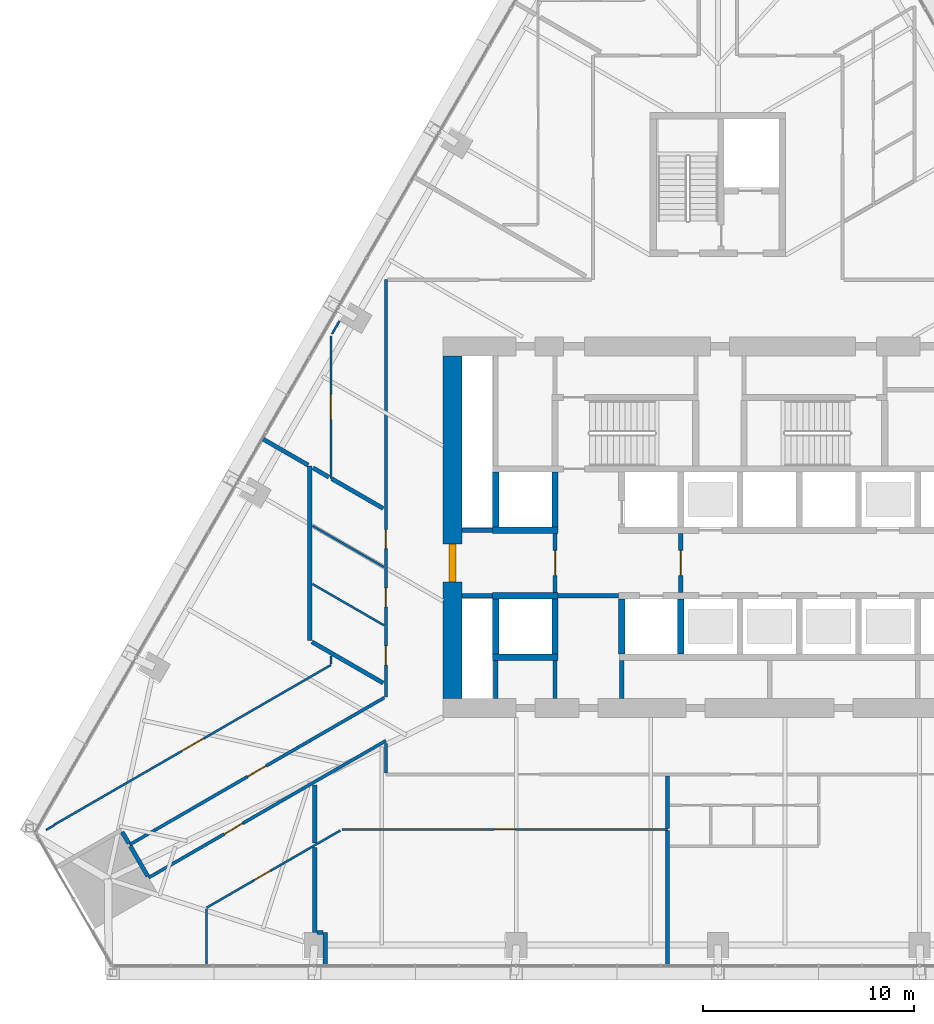
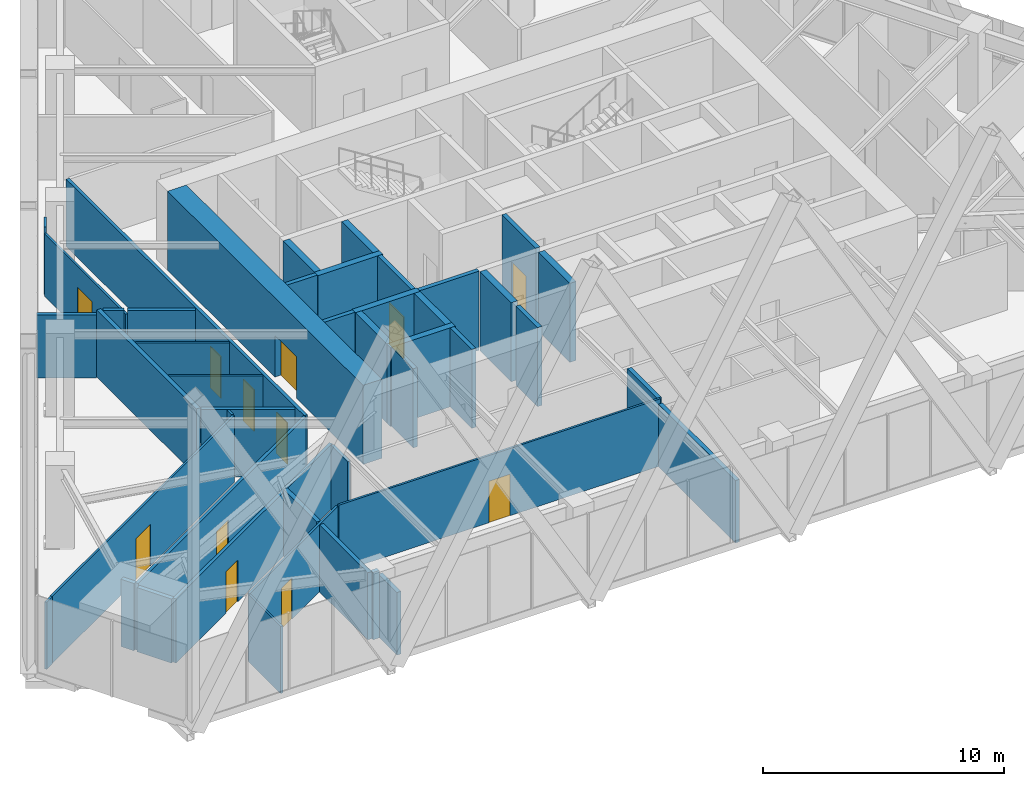
# One storey, part 17 of 23: 45 walls, 12 doors, 12 openings.
"""IFC4 building model written with IfcOpenShell, lengths in metres."""

from ifc_helpers import new_model, si_unit, direction, frame, frame_2d, origin, place, context, subcontext, project, spatial, rectangle, extrude, material, layer, layer_set, type_object, element, fill, save


model = new_model("IFC4")

# Units and contexts
model_context = context("Model", 3, precision=1e-05, world=origin(), true_north=direction((0.0, 1.0)))
body_context = subcontext(model_context, "Body", "Model", "MODEL_VIEW")
ifc_project = project(units=[si_unit("LENGTHUNIT", "METRE"), si_unit("AREAUNIT", "SQUARE_METRE"), si_unit("VOLUMEUNIT", "CUBIC_METRE"), si_unit("PLANEANGLEUNIT", "RADIAN"), si_unit("MASSUNIT", "GRAM", prefix="KILO")], contexts=[model_context])

# Site, building, storey
site_placement = place(None, origin())
site = spatial("IfcSite", under=ifc_project, at=site_placement, CompositionType="ELEMENT")
building_placement = place(site_placement, origin())
building = spatial("IfcBuilding", under=site, at=building_placement, Name="Firuza Gate Tower and Library", CompositionType="ELEMENT")
storey_placement = place(building_placement, frame((0.0, 0.0, 56.800048828125)))
storey = spatial("IfcBuildingStorey", under=building, at=storey_placement, Name="L12", CompositionType="ELEMENT", Elevation=56.800048828125)

# Walls
ifc_material_1 = material(Name="Plasterboard on steel studs", Category="steel")
ifc_layer_1 = layer(ifc_material_1, 0.199951171875)
ifc_layer_set_1 = layer_set([ifc_layer_1], Name="Core partition 200 EI 120")
wall_type_1 = type_object("IfcWallType", Name="Core partition 200 EI 120", PredefinedType="PARTITIONING", material=ifc_layer_set_1)
for number, where, z_axis, x_axis, name in (
    (1, (62.89990234375, 71.75, 0.0), (0.0, 0.0, 1.0), (1.0, 0.0, 0.0), "Core partition L12 1"),
    (2, (62.89990234375, 74.85009765625, 0.0), (0.0, 0.0, 1.0), (1.0, 0.0, 0.0), "Core partition L12 3"),
):
    element("IfcWall", number, at=place(storey_placement, frame(where, z_axis=z_axis, x_axis=x_axis)), inside=storey, type_object=wall_type_1, Name=name, PredefinedType="PARTITIONING", context=body_context, shape_type="SweptSolid", body=[
        extrude(rectangle(XDim=1.4501953125, YDim=0.199951171875, at=frame_2d((0.72509765625, 0.0))), origin(), (0.0, 0.0, 1.0), 4.0),
    ])
for number, where, z_axis, x_axis, name in (
    (3, (64.5, 66.89990234375, 0.0), (0.0, 0.0, 1.0), (0.0, 1.0, 0.0), "Core partition L12 5"),
    (4, (67.300048828125, 66.89990234375, 0.0), (0.0, 0.0, 1.0), (0.0, 1.0, 0.0), "Core partition L12 7"),
    (5, (70.449951171875, 66.89990234375, 0.0), (0.0, 0.0, 1.0), (0.0, 1.0, 0.0), "Core partition L12 10"),
):
    element("IfcWall", number, at=place(storey_placement, frame(where, z_axis=z_axis, x_axis=x_axis)), inside=storey, type_object=wall_type_1, Name=name, PredefinedType="PARTITIONING", context=body_context, shape_type="SweptSolid", body=[
        extrude(rectangle(XDim=1.800048828125, YDim=0.199951171875, at=frame_2d((0.89990234375, 0.0))), origin(), (0.0, 0.0, 1.0), 4.0),
    ])
ifc_material_2 = material(Name="Plasterboard on steel studs", Category="steel")
ifc_layer_2 = layer(ifc_material_2, 0.199951171875)
ifc_layer_set_2 = layer_set([ifc_layer_2], Name="Core partition 200 EI 60")
wall_type_2 = type_object("IfcWallType", Name="Core partition 200 EI 60", PredefinedType="PARTITIONING", material=ifc_layer_set_2)
wall_1_placement = place(storey_placement, frame((67.449951171875, 71.75, 0.0), z_axis=(0.0, 0.0, 1.0), x_axis=(1.0, 0.0, 0.0)))
element("IfcWall", 6, at=wall_1_placement, inside=storey, type_object=wall_type_2, Name="Core partition L12 2", PredefinedType="PARTITIONING", context=body_context, shape_type="SweptSolid", body=[
    extrude(rectangle(XDim=2.85009765625, YDim=0.199951171875, at=frame_2d((1.425048828125, 0.0))), origin(), (0.0, 0.0, 1.0), 4.0),
])

# Wall, opening, door
wall_2_placement = place(storey_placement, frame((67.300048828125, 71.89990234375, 0.0), z_axis=(0.0, 0.0, 1.0), x_axis=(0.0, 1.0, 0.0)))
wall_2 = element("IfcWall", 7, at=wall_2_placement, inside=storey, type_object=wall_type_2, Name="Core partition L12 8", PredefinedType="PARTITIONING", context=body_context, shape_type="SweptSolid", body=[
    extrude(rectangle(XDim=2.800048828125, YDim=0.199951171875, at=frame_2d((1.39990234375, 0.0))), origin(), (0.0, 0.0, 1.0), 4.0),
])
opening_1_placement = place(wall_2_placement, frame((0.800048828125, 0.0, 0.0)))
opening_1 = element("IfcOpeningElement", 8, at=opening_1_placement, cuts=wall_2, Name="Opening L12-K21", PredefinedType="OPENING", context=body_context, shape_type="SweptSolid", body=[
    extrude(rectangle(XDim=1.199951171875, YDim=2.10009765625, at=frame_2d((0.60009765625, 1.050048828125))), frame((0.0, 0.10986328125, 0.0), z_axis=(0.0, -1.0, 0.0), x_axis=(1.0, 0.0, 0.0)), (0.0, 0.0, 1.0), 0.219970703125),
])
ifc_material_3 = material(Name="Steel", Category="steel")
door_type_1 = type_object("IfcDoorType", Name="Fire door 1200x2100 FD90S", OperationType="NOTDEFINED", PredefinedType="DOOR", material=ifc_material_3)
door_1_placement = place(opening_1_placement, origin())
door_1 = element("IfcDoor", 9, at=door_1_placement, inside=storey, type_object=door_type_1, Name="Door L12-K21", OperationType="SINGLE_SWING_RIGHT", OverallHeight=2.10009765625, OverallWidth=1.199951171875, PredefinedType="DOOR", context=body_context, shape_type="SweptSolid", body=[
    extrude(rectangle(XDim=1.199951171875, YDim=2.10009765625, at=frame_2d((0.60009765625, 1.050048828125))), frame((0.0, 0.02490234375, 0.0), z_axis=(0.0, -1.0, 0.0), x_axis=(1.0, 0.0, 0.0)), (0.0, 0.0, 1.0), 0.050048828125),
])
fill(opening_1, door_1)

wall_3_placement = place(storey_placement, frame((73.25, 71.89990234375, 0.0), z_axis=(0.0, 0.0, 1.0), x_axis=(0.0, 1.0, 0.0)))
wall_3 = element("IfcWall", 10, at=wall_3_placement, inside=storey, type_object=wall_type_2, Name="Core partition L12 11", PredefinedType="PARTITIONING", context=body_context, shape_type="SweptSolid", body=[
    extrude(rectangle(XDim=2.800048828125, YDim=0.199951171875, at=frame_2d((1.39990234375, 0.0))), origin(), (0.0, 0.0, 1.0), 4.0),
])
opening_2_placement = place(wall_3_placement, frame((0.800048828125, 0.0, 0.0)))
opening_2 = element("IfcOpeningElement", 11, at=opening_2_placement, cuts=wall_3, Name="Opening L12-K20", PredefinedType="OPENING", context=body_context, shape_type="SweptSolid", body=[
    extrude(rectangle(XDim=1.199951171875, YDim=2.10009765625, at=frame_2d((0.60009765625, 1.050048828125))), frame((0.0, 0.10986328125, 0.0), z_axis=(0.0, -1.0, 0.0), x_axis=(1.0, 0.0, 0.0)), (0.0, 0.0, 1.0), 0.219970703125),
])
door_2_placement = place(opening_2_placement, origin())
door_2 = element("IfcDoor", 12, at=door_2_placement, inside=storey, type_object=door_type_1, Name="Door L12-K20", OperationType="SINGLE_SWING_LEFT", OverallHeight=2.10009765625, OverallWidth=1.199951171875, PredefinedType="DOOR", context=body_context, shape_type="SweptSolid", body=[
    extrude(rectangle(XDim=1.199951171875, YDim=2.10009765625, at=frame_2d((0.60009765625, 1.050048828125))), frame((0.0, 0.02490234375, 0.0), z_axis=(0.0, -1.0, 0.0), x_axis=(1.0, 0.0, 0.0)), (0.0, 0.0, 1.0), 0.050048828125),
])
fill(opening_2, door_2)

# Walls
ifc_material_4 = material(Name="Concrete C80/95", Category="concrete")
ifc_layer_3 = layer(ifc_material_4, 0.300048828125)
ifc_layer_set_3 = layer_set([ifc_layer_3], Name="Core wall 300 C80/95")
wall_type_3 = type_object("IfcWallType", Name="Core wall 300 C80/95", PredefinedType="SHEAR", material=ifc_layer_set_3)
for number, where, z_axis, x_axis, name in (
    (13, (64.35009765625, 68.85009765625, 0.0), (0.0, 0.0, 1.0), (1.0, 0.0, 0.0), "Core wall L12 5"),
    (14, (64.35009765625, 71.75, 0.0), (0.0, 0.0, 1.0), (1.0, 0.0, 0.0), "Core wall L12 7"),
    (15, (64.35009765625, 74.85009765625, 0.0), (0.0, 0.0, 1.0), (1.0, 0.0, 0.0), "Core wall L12 9"),
):
    element("IfcWall", number, at=place(storey_placement, frame(where, z_axis=z_axis, x_axis=x_axis)), inside=storey, type_object=wall_type_3, Name=name, PredefinedType="SHEAR", context=body_context, shape_type="SweptSolid", body=[
        extrude(rectangle(XDim=3.099853515625, YDim=0.300048828125, at=frame_2d((1.5498046875, 0.0))), origin(), (0.0, 0.0, 1.0), 4.0),
    ])
for number, where, z_axis, x_axis, name in (
    (16, (64.5, 69.0, 0.0), (0.0, 0.0, 1.0), (0.0, 1.0, 0.0), "Core wall L12 11"),
    (17, (64.5, 75.0, 0.0), (0.0, 0.0, 1.0), (0.0, 1.0, 0.0), "Core wall L12 12"),
    (18, (67.300048828125, 69.0, 0.0), (0.0, 0.0, 1.0), (0.0, 1.0, 0.0), "Core wall L12 13"),
    (19, (67.300048828125, 75.0, 0.0), (0.0, 0.0, 1.0), (0.0, 1.0, 0.0), "Core wall L12 14"),
    (20, (70.449951171875, 69.0, 0.0), (0.0, 0.0, 1.0), (0.0, 1.0, 0.0), "Core wall L12 15"),
    (21, (73.25, 69.0, 0.0), (0.0, 0.0, 1.0), (0.0, 1.0, 0.0), "Core wall L12 17"),
):
    element("IfcWall", number, at=place(storey_placement, frame(where, z_axis=z_axis, x_axis=x_axis)), inside=storey, type_object=wall_type_3, Name=name, PredefinedType="SHEAR", context=body_context, shape_type="SweptSolid", body=[
        extrude(rectangle(XDim=2.60009765625, YDim=0.300048828125, at=frame_2d((1.300048828125, 0.0))), origin(), (0.0, 0.0, 1.0), 4.0),
    ])

# Wall, opening, door
ifc_material_5 = material(Name="Concrete C80/95", Category="concrete")
ifc_layer_4 = layer(ifc_material_5, 0.89990234375)
ifc_layer_set_4 = layer_set([ifc_layer_4], Name="Core wall 900 C80/95")
wall_type_4 = type_object("IfcWallType", Name="Core wall 900 C80/95", PredefinedType="SHEAR", material=ifc_layer_set_4)
wall_4_placement = place(storey_placement, frame((62.449951171875, 66.89990234375, 0.0), z_axis=(0.0, 0.0, 1.0), x_axis=(0.0, 1.0, 0.0)))
wall_4 = element("IfcWall", 22, at=wall_4_placement, inside=storey, type_object=wall_type_4, Name="Core wall L12 3", PredefinedType="SHEAR", context=body_context, shape_type="SweptSolid", body=[
    extrude(rectangle(XDim=16.2001953125, YDim=0.89990234375, at=frame_2d((8.10009765625, 0.0))), origin(), (0.0, 0.0, 1.0), 4.0),
])
opening_3_placement = place(wall_4_placement, frame((5.5, 0.0, 0.0)))
opening_3 = element("IfcOpeningElement", 23, at=opening_3_placement, cuts=wall_4, Name="Opening L12-K22", PredefinedType="OPENING", context=body_context, shape_type="SweptSolid", body=[
    extrude(rectangle(XDim=1.800048828125, YDim=2.10009765625, at=frame_2d((0.89990234375, 1.050048828125))), frame((0.0, 0.4599609375, 0.0), z_axis=(0.0, -1.0, 0.0), x_axis=(1.0, 0.0, 0.0)), (0.0, 0.0, 1.0), 0.919921875),
])
ifc_material_6 = material(Name="Steel", Category="steel")
door_type_2 = type_object("IfcDoorType", Name="Fire door 1800x2100 FD30S", OperationType="NOTDEFINED", PredefinedType="DOOR", material=ifc_material_6)
door_3_placement = place(opening_3_placement, origin())
door_3 = element("IfcDoor", 24, at=door_3_placement, inside=storey, type_object=door_type_2, Name="Door L12-K22", OperationType="SINGLE_SWING_LEFT", OverallHeight=2.10009765625, OverallWidth=1.800048828125, PredefinedType="DOOR", context=body_context, shape_type="SweptSolid", body=[
    extrude(rectangle(XDim=1.800048828125, YDim=2.10009765625, at=frame_2d((0.89990234375, 1.050048828125))), frame((0.0, 0.169921875, 0.0), z_axis=(0.0, -1.0, 0.0), x_axis=(1.0, 0.0, 0.0)), (0.0, 0.0, 1.0), 0.33984375),
])
fill(opening_3, door_3)

ifc_material_7 = material(Name="Gypsum board partition")
ifc_layer_5 = layer(ifc_material_7, 0.14990234375)
ifc_layer_set_5 = layer_set([ifc_layer_5], Name="Corridor wall 150 double board on steel studs")
wall_type_5 = type_object("IfcWallType", Name="Corridor wall 150 double board on steel studs", PredefinedType="PARTITIONING", material=ifc_layer_set_5)
wall_5_placement = place(storey_placement, frame((59.300048828125, 64.896484375, 0.0), z_axis=(0.0, 0.0, 1.0), x_axis=(-0.86602302899, -0.500004113243, 0.0)))
wall_5 = element("IfcWall", 25, at=wall_5_placement, inside=storey, type_object=wall_type_5, Name="f:L12:w017", PredefinedType="PARTITIONING", context=body_context, shape_type="SweptSolid", body=[
    extrude(rectangle(XDim=12.95556640625, YDim=0.14990234375, at=frame_2d((6.477783203125, 0.0))), origin(), (0.0, 0.0, 1.0), 3.2470703125),
])
opening_4_placement = place(wall_5_placement, frame((7.8212890625, 0.0, 0.0)))
opening_4 = element("IfcOpeningElement", 26, at=opening_4_placement, cuts=wall_5, Name="Opening L12-14", PredefinedType="OPENING", context=body_context, shape_type="SweptSolid", body=[
    extrude(rectangle(XDim=1.0, YDim=2.10009765625, at=frame_2d((0.5, 1.050048828125))), frame((0.0, 0.0849609375, 0.0), z_axis=(0.0, -1.0, 0.0), x_axis=(1.0, 0.0, 0.0)), (0.0, 0.0, 1.0), 0.169921875),
])
ifc_material_8 = material(Name="Steel door and timber leaf", Category="steel")
door_type_3 = type_object("IfcDoorType", Name="Fire door 1000 x 2100 steel frame, timber leaf", OperationType="NOTDEFINED", PredefinedType="DOOR", material=ifc_material_8)
door_4_placement = place(opening_4_placement, origin())
door_4 = element("IfcDoor", 27, at=door_4_placement, inside=storey, type_object=door_type_3, Name="f:L12:d014", OperationType="SINGLE_SWING_RIGHT", OverallHeight=2.10009765625, OverallWidth=1.0, PredefinedType="DOOR", context=body_context, shape_type="SweptSolid", body=[
    extrude(rectangle(XDim=1.0, YDim=2.10009765625, at=frame_2d((0.5, 1.050048828125))), frame((0.0, 0.02490234375, 0.0), z_axis=(0.0, -1.0, 0.0), x_axis=(1.0, 0.0, 0.0)), (0.0, 0.0, 1.0), 0.050048828125),
])
fill(opening_4, door_4)

wall_6_placement = place(storey_placement, frame((47.17822265625, 59.976318359375, 0.0), z_axis=(0.0, 0.0, 1.0), x_axis=(0.866019280802, 0.500010605167, 0.0)))
wall_6 = element("IfcWall", 28, at=wall_6_placement, inside=storey, type_object=wall_type_5, Name="f:L12:w018", PredefinedType="PARTITIONING", context=body_context, shape_type="SweptSolid", body=[
    extrude(rectangle(XDim=13.910400390625, YDim=0.14990234375, at=frame_2d((6.955078125, 0.0))), origin(), (0.0, 0.0, 1.0), 3.39990234375),
])
opening_5_placement = place(wall_6_placement, frame((6.455322265625, 0.0, 0.0)))
opening_5 = element("IfcOpeningElement", 29, at=opening_5_placement, cuts=wall_6, Name="Opening L12-15", PredefinedType="OPENING", context=body_context, shape_type="SweptSolid", body=[
    extrude(rectangle(XDim=1.0, YDim=2.10009765625, at=frame_2d((0.5, 1.050048828125))), frame((0.0, 0.0849609375, 0.0), z_axis=(0.0, -1.0, 0.0), x_axis=(1.0, 0.0, 0.0)), (0.0, 0.0, 1.0), 0.169921875),
])
door_5_placement = place(opening_5_placement, origin())
door_5 = element("IfcDoor", 30, at=door_5_placement, inside=storey, type_object=door_type_3, Name="f:L12:d015", OperationType="SINGLE_SWING_LEFT", OverallHeight=2.10009765625, OverallWidth=1.0, PredefinedType="DOOR", context=body_context, shape_type="SweptSolid", body=[
    extrude(rectangle(XDim=1.0, YDim=2.10009765625, at=frame_2d((0.5, 1.050048828125))), frame((0.0, 0.02490234375, 0.0), z_axis=(0.0, -1.0, 0.0), x_axis=(1.0, 0.0, 0.0)), (0.0, 0.0, 1.0), 0.050048828125),
])
fill(opening_5, door_5)

# Wall
wall_7_placement = place(storey_placement, frame((59.300048828125, 63.375, 0.0), z_axis=(0.0, 0.0, 1.0), x_axis=(0.0, 1.0, 0.0)))
element("IfcWall", 31, at=wall_7_placement, inside=storey, type_object=wall_type_5, Name="f:L12:w045", PredefinedType="PARTITIONING", context=body_context, shape_type="SweptSolid", body=[
    extrude(rectangle(XDim=1.384765625, YDim=0.14990234375, at=frame_2d((0.6923828125, 0.0))), origin(), (0.0, 0.0, 1.0), 3.2470703125),
])

# Wall, openings, doors
wall_8_placement = place(storey_placement, frame((59.300048828125, 66.974853515625, 0.0), z_axis=(0.0, 0.0, 1.0), x_axis=(0.0, 1.0, 0.0)))
wall_8 = element("IfcWall", 32, at=wall_8_placement, inside=storey, type_object=wall_type_5, Name="f:L12:w046", PredefinedType="PARTITIONING", context=body_context, shape_type="SweptSolid", body=[
    extrude(rectangle(XDim=19.724609375, YDim=0.14990234375, at=frame_2d((9.8623046875, 0.0))), origin(), (0.0, 0.0, 1.0), 3.39990234375),
])
opening_6_placement = place(wall_8_placement, frame((1.501708984375, 0.0, 0.0)))
opening_6 = element("IfcOpeningElement", 33, at=opening_6_placement, cuts=wall_8, Name="Opening L12-29", PredefinedType="OPENING", context=body_context, shape_type="SweptSolid", body=[
    extrude(rectangle(XDim=0.89990234375, YDim=2.10009765625, at=frame_2d((0.449951171875, 1.050048828125))), frame((0.0, 0.0849609375, 0.0), z_axis=(0.0, -1.0, 0.0), x_axis=(1.0, 0.0, 0.0)), (0.0, 0.0, 1.0), 0.169921875),
])
opening_7_placement = place(wall_8_placement, frame((4.254150390625, 0.0, 0.0)))
opening_7 = element("IfcOpeningElement", 34, at=opening_7_placement, cuts=wall_8, Name="Opening L12-30", PredefinedType="OPENING", context=body_context, shape_type="SweptSolid", body=[
    extrude(rectangle(XDim=0.89990234375, YDim=2.10009765625, at=frame_2d((0.449951171875, 1.050048828125))), frame((0.0, 0.0849609375, 0.0), z_axis=(0.0, -1.0, 0.0), x_axis=(1.0, 0.0, 0.0)), (0.0, 0.0, 1.0), 0.169921875),
])
opening_8_placement = place(wall_8_placement, frame((7.006591796875, 0.0, 0.0)))
opening_8 = element("IfcOpeningElement", 35, at=opening_8_placement, cuts=wall_8, Name="Opening L12-31", PredefinedType="OPENING", context=body_context, shape_type="SweptSolid", body=[
    extrude(rectangle(XDim=0.89990234375, YDim=2.10009765625, at=frame_2d((0.449951171875, 1.050048828125))), frame((0.0, 0.0849609375, 0.0), z_axis=(0.0, -1.0, 0.0), x_axis=(1.0, 0.0, 0.0)), (0.0, 0.0, 1.0), 0.169921875),
])
ifc_material_9 = material(Name="Steel door and timber leaf", Category="steel")
door_type_4 = type_object("IfcDoorType", Name="Fire door 900 x 2100 steel frame, timber leaf", OperationType="NOTDEFINED", PredefinedType="DOOR", material=ifc_material_9)
door_6_placement = place(opening_6_placement, origin())
door_6 = element("IfcDoor", 36, at=door_6_placement, inside=storey, type_object=door_type_4, Name="f:L12:d029", OperationType="SINGLE_SWING_LEFT", OverallHeight=2.10009765625, OverallWidth=0.89990234375, PredefinedType="DOOR", context=body_context, shape_type="SweptSolid", body=[
    extrude(rectangle(XDim=0.89990234375, YDim=2.10009765625, at=frame_2d((0.449951171875, 1.050048828125))), frame((0.0, 0.02490234375, 0.0), z_axis=(0.0, -1.0, 0.0), x_axis=(1.0, 0.0, 0.0)), (0.0, 0.0, 1.0), 0.050048828125),
])
fill(opening_6, door_6)
door_7_placement = place(opening_7_placement, origin())
door_7 = element("IfcDoor", 37, at=door_7_placement, inside=storey, type_object=door_type_4, Name="f:L12:d030", OperationType="SINGLE_SWING_RIGHT", OverallHeight=2.10009765625, OverallWidth=0.89990234375, PredefinedType="DOOR", context=body_context, shape_type="SweptSolid", body=[
    extrude(rectangle(XDim=0.89990234375, YDim=2.10009765625, at=frame_2d((0.449951171875, 1.050048828125))), frame((0.0, 0.02490234375, 0.0), z_axis=(0.0, -1.0, 0.0), x_axis=(1.0, 0.0, 0.0)), (0.0, 0.0, 1.0), 0.050048828125),
])
fill(opening_7, door_7)
door_8_placement = place(opening_8_placement, origin())
door_8 = element("IfcDoor", 38, at=door_8_placement, inside=storey, type_object=door_type_4, Name="f:L12:d031", OperationType="SINGLE_SWING_LEFT", OverallHeight=2.10009765625, OverallWidth=0.89990234375, PredefinedType="DOOR", context=body_context, shape_type="SweptSolid", body=[
    extrude(rectangle(XDim=0.89990234375, YDim=2.10009765625, at=frame_2d((0.449951171875, 1.050048828125))), frame((0.0, 0.02490234375, 0.0), z_axis=(0.0, -1.0, 0.0), x_axis=(1.0, 0.0, 0.0)), (0.0, 0.0, 1.0), 0.050048828125),
])
fill(opening_8, door_8)

# Walls
ifc_material_10 = material(Name="Gypsum board partition")
ifc_layer_6 = layer(ifc_material_10, 0.199951171875)
ifc_layer_set_6 = layer_set([ifc_layer_6], Name="Demising wall 200 acoustic double stud")
wall_type_6 = type_object("IfcWallType", Name="Demising wall 200 acoustic double stud", PredefinedType="PARTITIONING", material=ifc_layer_set_6)
wall_9_placement = place(storey_placement, frame((56.031005859375, 55.8291015625, 0.0), z_axis=(0.0, 0.0, 1.0), x_axis=(1.0, 0.0, 0.0)))
element("IfcWall", 39, at=wall_9_placement, inside=storey, type_object=wall_type_6, Name="f:L12:w000", PredefinedType="PARTITIONING", context=body_context, shape_type="SweptSolid", body=[
    extrude(rectangle(XDim=0.299560546875, YDim=0.199951171875, at=frame_2d((0.14990234375, 0.0))), origin(), (0.0, 0.0, 1.0), 3.39990234375),
])
wall_10_placement = place(storey_placement, frame((72.615966796875, 54.268798828125, 0.0), z_axis=(0.0, 0.0, 1.0), x_axis=(0.0, 1.0, 0.0)))
element("IfcWall", 40, at=wall_10_placement, inside=storey, type_object=wall_type_6, Name="f:L12:w040", PredefinedType="PARTITIONING", context=body_context, shape_type="SweptSolid", body=[
    extrude(rectangle(XDim=6.381103515625, YDim=0.199951171875, at=frame_2d((3.1904296875, 0.0))), origin(), (0.0, 0.0, 1.0), 3.1650390625),
])
wall_11_placement = place(storey_placement, frame((56.430908203125, 54.268798828125, 0.0), z_axis=(0.0, 0.0, 1.0), x_axis=(0.0, 1.0, 0.0)))
element("IfcWall", 41, at=wall_11_placement, inside=storey, type_object=wall_type_6, Name="f:L12:w049", PredefinedType="PARTITIONING", context=body_context, shape_type="SweptSolid", body=[
    extrude(rectangle(XDim=1.5595703125, YDim=0.199951171875, at=frame_2d((0.77978515625, 0.0))), origin(), (0.0, 0.0, 1.0), 3.1650390625),
])
wall_12_placement = place(storey_placement, frame((55.930908203125, 55.828857421875, 0.0), z_axis=(0.0, 0.0, 1.0), x_axis=(0.0, 1.0, 0.0)))
element("IfcWall", 42, at=wall_12_placement, inside=storey, type_object=wall_type_6, Name="f:L12:w050", PredefinedType="PARTITIONING", context=body_context, shape_type="SweptSolid", body=[
    extrude(rectangle(XDim=4.0048828125, YDim=0.199951171875, at=frame_2d((2.00244140625, 0.0))), origin(), (0.0, 0.0, 1.0), 3.39990234375),
])
wall_13_placement = place(storey_placement, frame((55.699951171875, 69.629638671875, 0.0), z_axis=(0.0, 0.0, 1.0), x_axis=(0.0, 1.0, 0.0)))
element("IfcWall", 43, at=wall_13_placement, inside=storey, type_object=wall_type_6, Name="f:L12:w051", PredefinedType="PARTITIONING", context=body_context, shape_type="SweptSolid", body=[
    extrude(rectangle(XDim=8.255859375, YDim=0.199951171875, at=frame_2d((4.1279296875, 0.0))), origin(), (0.0, 0.0, 1.0), 3.39990234375),
])
wall_14_placement = place(storey_placement, frame((48.03857421875, 58.484619140625, 0.0), z_axis=(0.0, 0.0, 1.0), x_axis=(-0.499949127178, 0.86605477323, 0.0)))
element("IfcWall", 44, at=wall_14_placement, inside=storey, type_object=wall_type_6, Name="f:L12:w053", PredefinedType="PARTITIONING", context=body_context, shape_type="SweptSolid", body=[
    extrude(rectangle(XDim=1.647216796875, YDim=0.199951171875, at=frame_2d((0.82373046875, 0.0))), origin(), (0.0, 0.0, 1.0), 3.2470703125),
])
wall_15_placement = place(storey_placement, frame((59.173095703125, 75.880615234375, 0.0), z_axis=(0.0, 0.0, 1.0), x_axis=(-0.866049697453, 0.499957919771, 0.0)))
element("IfcWall", 45, at=wall_15_placement, inside=storey, type_object=wall_type_6, Name="f:L12:w062", PredefinedType="PARTITIONING", context=body_context, shape_type="SweptSolid", body=[
    extrude(rectangle(XDim=2.812255859375, YDim=0.199951171875, at=frame_2d((1.40625, 0.0))), origin(), (0.0, 0.0, 1.0), 3.39990234375),
])
wall_16_placement = place(storey_placement, frame((59.1728515625, 67.623291015625, 0.0), z_axis=(0.0, 0.0, 1.0), x_axis=(-0.866000809756, 0.500042595688, 0.0)))
element("IfcWall", 46, at=wall_16_placement, inside=storey, type_object=wall_type_6, Name="f:L12:w065", PredefinedType="PARTITIONING", context=body_context, shape_type="SweptSolid", body=[
    extrude(rectangle(XDim=3.894775390625, YDim=0.199951171875, at=frame_2d((1.947265625, 0.0))), origin(), (0.0, 0.0, 1.0), 3.39990234375),
])
wall_17_placement = place(storey_placement, frame((72.615966796875, 60.75, 0.0), z_axis=(0.0, 0.0, 1.0), x_axis=(0.0, 1.0, 0.0)))
element("IfcWall", 47, at=wall_17_placement, inside=storey, type_object=wall_type_6, Name="f:L12:w066", PredefinedType="PARTITIONING", context=body_context, shape_type="SweptSolid", body=[
    extrude(rectangle(XDim=2.47509765625, YDim=0.199951171875, at=frame_2d((1.237548828125, 0.0))), origin(), (0.0, 0.0, 1.0), 3.39990234375),
])
wall_18_placement = place(storey_placement, frame((55.930908203125, 60.064697265625, 0.0), z_axis=(0.0, 0.0, 1.0), x_axis=(0.0, 1.0, 0.0)))
element("IfcWall", 48, at=wall_18_placement, inside=storey, type_object=wall_type_6, Name="f:L12:w071", PredefinedType="PARTITIONING", context=body_context, shape_type="SweptSolid", body=[
    extrude(rectangle(XDim=2.739990234375, YDim=0.199951171875, at=frame_2d((1.3701171875, 0.0))), origin(), (0.0, 0.0, 1.0), 3.39990234375),
])
wall_19_placement = place(storey_placement, frame((47.14013671875, 60.041015625, 0.0), z_axis=(0.0, 0.0, 1.0), x_axis=(-0.500049599607, 0.865996765544, 0.0)))
element("IfcWall", 49, at=wall_19_placement, inside=storey, type_object=wall_type_6, Name="f:L12:w072", PredefinedType="PARTITIONING", context=body_context, shape_type="SweptSolid", body=[
    extrude(rectangle(XDim=0.62451171875, YDim=0.199951171875, at=frame_2d((0.312255859375, 0.0))), origin(), (0.0, 0.0, 1.0), 3.39990234375),
])
wall_20_placement = place(storey_placement, frame((56.60009765625, 77.3662109375, 0.0), z_axis=(0.0, 0.0, 1.0), x_axis=(-0.866101087359, 0.499868889286, 0.0)))
element("IfcWall", 50, at=wall_20_placement, inside=storey, type_object=wall_type_6, Name="f:L12:w077", PredefinedType="PARTITIONING", context=body_context, shape_type="SweptSolid", body=[
    extrude(rectangle(XDim=0.865966796875, YDim=0.199951171875, at=frame_2d((0.43310546875, 0.0))), origin(), (0.0, 0.0, 1.0), 3.39990234375),
])
wall_21_placement = place(storey_placement, frame((55.625, 77.928955078125, 0.0), z_axis=(0.0, 0.0, 1.0), x_axis=(-0.86602376425, 0.500002839747, 0.0)))
element("IfcWall", 51, at=wall_21_placement, inside=storey, type_object=wall_type_6, Name="f:L12:w078", PredefinedType="PARTITIONING", context=body_context, shape_type="SweptSolid", body=[
    extrude(rectangle(XDim=2.4873046875, YDim=0.199951171875, at=frame_2d((1.24365234375, 0.0))), origin(), (0.0, 0.0, 1.0), 3.1650390625),
])

# Wall, opening, door
ifc_material_11 = material(Name="Gypsum board partition")
ifc_layer_7 = layer(ifc_material_11, 0.10009765625)
ifc_layer_set_7 = layer_set([ifc_layer_7], Name="Partition 100 gypsum board on steel studs")
wall_type_7 = type_object("IfcWallType", Name="Partition 100 gypsum board on steel studs", PredefinedType="PARTITIONING", material=ifc_layer_set_7)
wall_22_placement = place(storey_placement, frame((57.231689453125, 60.699951171875, 0.0), z_axis=(0.0, 0.0, 1.0), x_axis=(1.0, 0.0, 0.0)))
wall_22 = element("IfcWall", 52, at=wall_22_placement, inside=storey, type_object=wall_type_7, Name="f:L12:w002", PredefinedType="PARTITIONING", context=body_context, shape_type="SweptSolid", body=[
    extrude(rectangle(XDim=15.384765625, YDim=0.10009765625, at=frame_2d((7.6923828125, 0.0))), origin(), (0.0, 0.0, 1.0), 3.39990234375),
])
opening_9_placement = place(wall_22_placement, frame((7.1923828125, 0.0, 0.0)))
opening_9 = element("IfcOpeningElement", 53, at=opening_9_placement, cuts=wall_22, Name="Opening L12-01", PredefinedType="OPENING", context=body_context, shape_type="SweptSolid", body=[
    extrude(rectangle(XDim=1.0, YDim=2.10009765625, at=frame_2d((0.5, 1.050048828125))), frame((0.0, 0.06005859375, 0.0), z_axis=(0.0, -1.0, 0.0), x_axis=(1.0, 0.0, 0.0)), (0.0, 0.0, 1.0), 0.1201171875),
])
ifc_material_12 = material(Name="Timber door", Category="wood")
door_type_5 = type_object("IfcDoorType", Name="Door 1000 x 2100 timber leaf", OperationType="NOTDEFINED", PredefinedType="DOOR", material=ifc_material_12)
door_9_placement = place(opening_9_placement, origin())
door_9 = element("IfcDoor", 54, at=door_9_placement, inside=storey, type_object=door_type_5, Name="f:L12:d001", OperationType="SINGLE_SWING_LEFT", OverallHeight=2.10009765625, OverallWidth=1.0, PredefinedType="DOOR", context=body_context, shape_type="SweptSolid", body=[
    extrude(rectangle(XDim=1.0, YDim=2.10009765625, at=frame_2d((0.5, 1.050048828125))), frame((0.0, 0.02490234375, 0.0), z_axis=(0.0, -1.0, 0.0), x_axis=(1.0, 0.0, 0.0)), (0.0, 0.0, 1.0), 0.050048828125),
])
fill(opening_9, door_9)

wall_23_placement = place(storey_placement, frame((50.818603515625, 56.99755859375, 0.0), z_axis=(0.0, 0.0, 1.0), x_axis=(0.866023631393, 0.50000306986, 0.0)))
wall_23 = element("IfcWall", 55, at=wall_23_placement, inside=storey, type_object=wall_type_7, Name="f:L12:w016", PredefinedType="PARTITIONING", context=body_context, shape_type="SweptSolid", body=[
    extrude(rectangle(XDim=7.30517578125, YDim=0.10009765625, at=frame_2d((3.652587890625, 0.0))), origin(), (0.0, 0.0, 1.0), 3.39990234375),
])
opening_10_placement = place(wall_23_placement, frame((2.6015625, 0.0, 0.0)))
opening_10 = element("IfcOpeningElement", 56, at=opening_10_placement, cuts=wall_23, Name="Opening L12-13", PredefinedType="OPENING", context=body_context, shape_type="SweptSolid", body=[
    extrude(rectangle(XDim=0.89990234375, YDim=2.10009765625, at=frame_2d((0.449951171875, 1.050048828125))), frame((0.0, 0.06005859375, 0.0), z_axis=(0.0, -1.0, 0.0), x_axis=(1.0, 0.0, 0.0)), (0.0, 0.0, 1.0), 0.1201171875),
])
ifc_material_13 = material(Name="Timber door", Category="wood")
door_type_6 = type_object("IfcDoorType", Name="Door 900 x 2100 timber leaf", OperationType="NOTDEFINED", PredefinedType="DOOR", material=ifc_material_13)
door_10_placement = place(opening_10_placement, origin())
door_10 = element("IfcDoor", 57, at=door_10_placement, inside=storey, type_object=door_type_6, Name="f:L12:d013", OperationType="SINGLE_SWING_RIGHT", OverallHeight=2.10009765625, OverallWidth=0.89990234375, PredefinedType="DOOR", context=body_context, shape_type="SweptSolid", body=[
    extrude(rectangle(XDim=0.89990234375, YDim=2.10009765625, at=frame_2d((0.449951171875, 1.050048828125))), frame((0.0, 0.02490234375, 0.0), z_axis=(0.0, -1.0, 0.0), x_axis=(1.0, 0.0, 0.0)), (0.0, 0.0, 1.0), 0.050048828125),
])
fill(opening_10, door_10)

# Wall
wall_24_placement = place(storey_placement, frame((43.22607421875, 60.673828125, 0.0), z_axis=(0.0, 0.0, 1.0), x_axis=(0.866073792734, 0.499916178513, 0.0)))
element("IfcWall", 58, at=wall_24_placement, inside=storey, type_object=wall_type_7, Name="f:L12:w020", PredefinedType="PARTITIONING", context=body_context, shape_type="SweptSolid", body=[
    extrude(rectangle(XDim=0.47265625, YDim=0.10009765625, at=frame_2d((0.236328125, 0.0))), origin(), (0.0, 0.0, 1.0), 3.39990234375),
])

# Wall, opening, door
wall_25_placement = place(storey_placement, frame((56.69970703125, 68.475830078125, 0.0), z_axis=(0.0, 0.0, 1.0), x_axis=(-0.866026152489, -0.499998703203, 0.0)))
wall_25 = element("IfcWall", 59, at=wall_25_placement, inside=storey, type_object=wall_type_7, Name="f:L12:w021", PredefinedType="PARTITIONING", context=body_context, shape_type="SweptSolid", body=[
    extrude(rectangle(XDim=15.09619140625, YDim=0.10009765625, at=frame_2d((7.548095703125, 0.0))), origin(), (0.0, 0.0, 1.0), 3.39990234375),
])
opening_11_placement = place(wall_25_placement, frame((6.947998046875, 0.0, 0.0)))
opening_11 = element("IfcOpeningElement", 60, at=opening_11_placement, cuts=wall_25, Name="Opening L12-16", PredefinedType="OPENING", context=body_context, shape_type="SweptSolid", body=[
    extrude(rectangle(XDim=1.199951171875, YDim=2.10009765625, at=frame_2d((0.60009765625, 1.050048828125))), frame((0.0, 0.06005859375, 0.0), z_axis=(0.0, -1.0, 0.0), x_axis=(1.0, 0.0, 0.0)), (0.0, 0.0, 1.0), 0.1201171875),
])
ifc_material_14 = material(Name="Glazed aluminium door", Category="aluminium")
door_type_7 = type_object("IfcDoorType", Name="Door 1200 x 2100 glazed double leaf", OperationType="NOTDEFINED", PredefinedType="DOOR", material=ifc_material_14)
door_11_placement = place(opening_11_placement, origin())
door_11 = element("IfcDoor", 61, at=door_11_placement, inside=storey, type_object=door_type_7, Name="f:L12:d016", OperationType="DOUBLE_DOOR_SINGLE_SWING", OverallHeight=2.10009765625, OverallWidth=1.199951171875, PredefinedType="DOOR", context=body_context, shape_type="SweptSolid", body=[
    extrude(rectangle(XDim=1.199951171875, YDim=2.10009765625, at=frame_2d((0.60009765625, 1.050048828125))), frame((0.0, 0.02490234375, 0.0), z_axis=(0.0, -1.0, 0.0), x_axis=(1.0, 0.0, 0.0)), (0.0, 0.0, 1.0), 0.050048828125),
])
fill(opening_11, door_11)

# Walls
wall_26_placement = place(storey_placement, frame((56.750244140625, 84.132080078125, 0.0), z_axis=(0.0, 0.0, 1.0), x_axis=(0.49987987985, 0.866094744079, 0.0)))
element("IfcWall", 62, at=wall_26_placement, inside=storey, type_object=wall_type_7, Name="f:L12:w027", PredefinedType="PARTITIONING", context=body_context, shape_type="SweptSolid", body=[
    extrude(rectangle(XDim=0.716064453125, YDim=0.10009765625, at=frame_2d((0.35791015625, 0.0))), origin(), (0.0, 0.0, 1.0), 3.39990234375),
])
wall_27_placement = place(storey_placement, frame((56.699951171875, 68.533935546875, 0.0), z_axis=(0.0, 0.0, 1.0), x_axis=(0.0, 1.0, 0.0)))
element("IfcWall", 63, at=wall_27_placement, inside=storey, type_object=wall_type_7, Name="f:L12:w047", PredefinedType="PARTITIONING", context=body_context, shape_type="SweptSolid", body=[
    extrude(rectangle(XDim=0.371826171875, YDim=0.10009765625, at=frame_2d((0.18603515625, 0.0))), origin(), (0.0, 0.0, 1.0), 3.39990234375),
])

# Wall, opening, door
wall_28_placement = place(storey_placement, frame((56.699951171875, 84.045654296875, 0.0), z_axis=(0.0, 0.0, 1.0), x_axis=(0.0, -1.0, 0.0)))
wall_28 = element("IfcWall", 64, at=wall_28_placement, inside=storey, type_object=wall_type_7, Name="f:L12:w048", PredefinedType="PARTITIONING", context=body_context, shape_type="SweptSolid", body=[
    extrude(rectangle(XDim=6.7373046875, YDim=0.10009765625, at=frame_2d((3.36865234375, 0.0))), origin(), (0.0, 0.0, 1.0), 3.1650390625),
])
opening_12_placement = place(wall_28_placement, frame((2.7685546875, 0.0, 0.0)))
opening_12 = element("IfcOpeningElement", 65, at=opening_12_placement, cuts=wall_28, Name="Opening L12-32", PredefinedType="OPENING", context=body_context, shape_type="SweptSolid", body=[
    extrude(rectangle(XDim=1.199951171875, YDim=2.10009765625, at=frame_2d((0.60009765625, 1.050048828125))), frame((0.0, 0.06005859375, 0.0), z_axis=(0.0, -1.0, 0.0), x_axis=(1.0, 0.0, 0.0)), (0.0, 0.0, 1.0), 0.1201171875),
])
door_12_placement = place(opening_12_placement, origin())
door_12 = element("IfcDoor", 66, at=door_12_placement, inside=storey, type_object=door_type_7, Name="f:L12:d032", OperationType="DOUBLE_DOOR_SINGLE_SWING", OverallHeight=2.10009765625, OverallWidth=1.199951171875, PredefinedType="DOOR", context=body_context, shape_type="SweptSolid", body=[
    extrude(rectangle(XDim=1.199951171875, YDim=2.10009765625, at=frame_2d((0.60009765625, 1.050048828125))), frame((0.0, 0.02490234375, 0.0), z_axis=(0.0, -1.0, 0.0), x_axis=(1.0, 0.0, 0.0)), (0.0, 0.0, 1.0), 0.050048828125),
])
fill(opening_12, door_12)

# Walls
wall_29_placement = place(storey_placement, frame((50.819091796875, 54.268798828125, 0.0), z_axis=(0.0, 0.0, 1.0), x_axis=(0.0, 1.0, 0.0)))
element("IfcWall", 67, at=wall_29_placement, inside=storey, type_object=wall_type_7, Name="f:L12:w052", PredefinedType="PARTITIONING", context=body_context, shape_type="SweptSolid", body=[
    extrude(rectangle(XDim=2.6708984375, YDim=0.10009765625, at=frame_2d((1.33544921875, 0.0))), origin(), (0.0, 0.0, 1.0), 3.39990234375),
])
wall_30_placement = place(storey_placement, frame((59.19873046875, 73.11279296875, 0.0), z_axis=(0.0, 0.0, 1.0), x_axis=(-0.866016482536, 0.500015451737, 0.0)))
element("IfcWall", 68, at=wall_30_placement, inside=storey, type_object=wall_type_7, Name="f:L12:w063", PredefinedType="PARTITIONING", context=body_context, shape_type="SweptSolid", body=[
    extrude(rectangle(XDim=3.89501953125, YDim=0.10009765625, at=frame_2d((1.947509765625, 0.0))), origin(), (0.0, 0.0, 1.0), 3.39990234375),
])
wall_31_placement = place(storey_placement, frame((59.19921875, 70.361083984375, 0.0), z_axis=(0.0, 0.0, 1.0), x_axis=(-0.866043624834, 0.499968438888, 0.0)))
element("IfcWall", 69, at=wall_31_placement, inside=storey, type_object=wall_type_7, Name="f:L12:w064", PredefinedType="PARTITIONING", context=body_context, shape_type="SweptSolid", body=[
    extrude(rectangle(XDim=3.894775390625, YDim=0.10009765625, at=frame_2d((1.947265625, 0.0))), origin(), (0.0, 0.0, 1.0), 3.39990234375),
])

save(model, "model.ifc")
